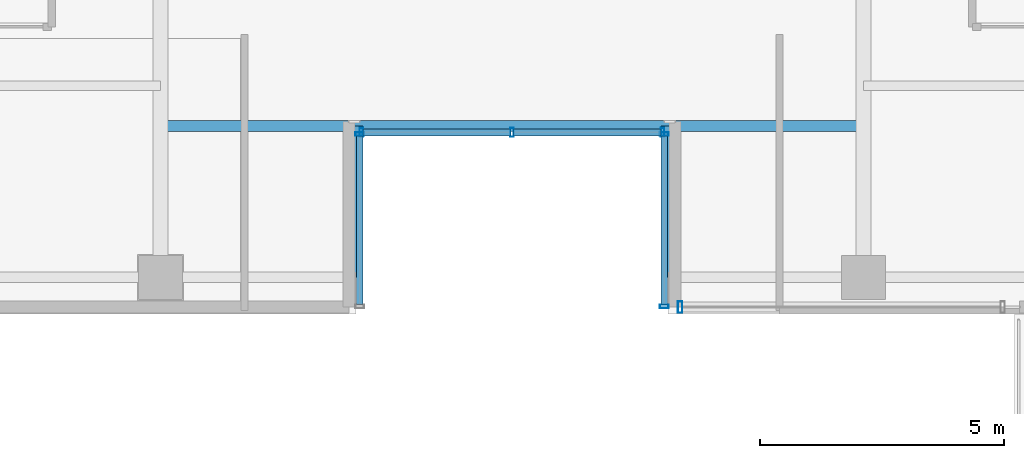
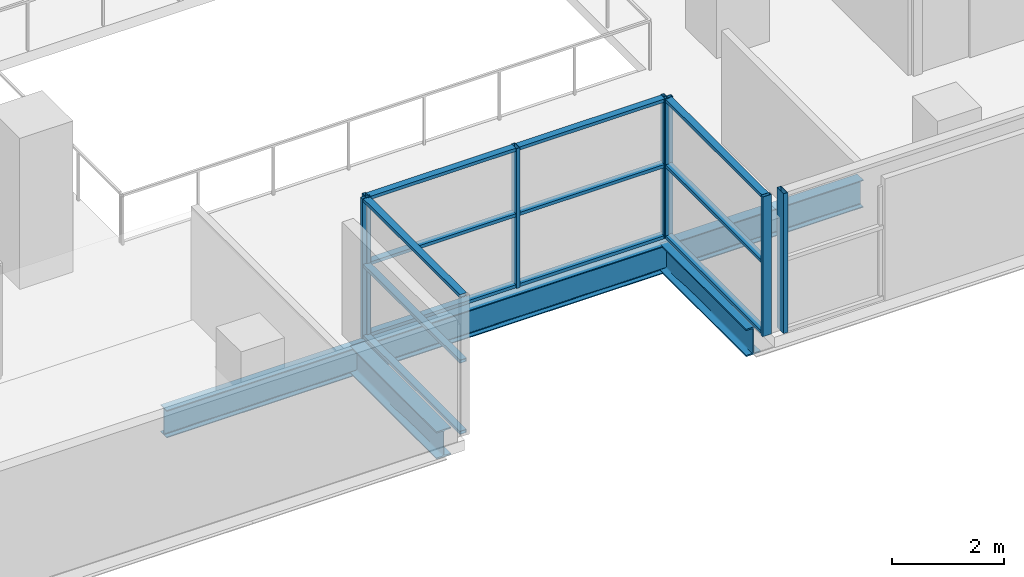
# One storey, part 6 of 28: 19 members, 3 beams, 4 elements without a shape of their own.
"""IFC4 building model written with IfcOpenShell, lengths in metres."""

from ifc_helpers import new_model, si_unit, direction, frame, origin, origin_2d, place, context, subcontext, project, spatial, hollow_rectangle, i_section, extrude, source, transform, mapped, material, layer, layer_set, material_profile, profile_set, type_object, element, aggregate, save


model = new_model("IFC4")

# Units and contexts
model_context = context("Model", 3, precision=1e-05, world=origin(), true_north=direction((0.0, 1.0)))
body_context = subcontext(model_context, "Body", "Model", "MODEL_VIEW")
ifc_project = project(units=[si_unit("LENGTHUNIT", "METRE"), si_unit("AREAUNIT", "SQUARE_METRE"), si_unit("VOLUMEUNIT", "CUBIC_METRE"), si_unit("PLANEANGLEUNIT", "RADIAN"), si_unit("MASSUNIT", "GRAM", prefix="KILO")], contexts=[model_context])

# Site, building, storey
site_placement = place(None, origin())
site = spatial("IfcSite", under=ifc_project, at=site_placement, CompositionType="ELEMENT")
building_placement = place(site_placement, origin())
building = spatial("IfcBuilding", under=site, at=building_placement, Name="Zarnakvel Exchange Tower", CompositionType="ELEMENT")
storey_placement = place(building_placement, frame((0.0, 0.0, 57.10009765625)))
storey = spatial("IfcBuildingStorey", under=building, at=storey_placement, Name="L15", CompositionType="ELEMENT", Elevation=57.10009765625)

# Beams
ifc_material_1 = material(Name="Steel S355", Category="steel")
ifc_material_profile_1 = material_profile(ifc_material_1, i_section(OverallWidth=0.300048828125, OverallDepth=0.60009765625, WebThickness=0.015380859375, FlangeThickness=0.030029296875, FilletRadius=0.027099609375, at=origin_2d()))
ifc_profile_set_1 = profile_set([ifc_material_profile_1], Name="Steel S355")
beam_type_1 = type_object("IfcBeamType", Name="G-04", PredefinedType="BEAM", material=ifc_profile_set_1)
for number, where, z_axis, x_axis, name in (
    (1, (-3.199951171875, -17.449951171875, -0.525146484375), (0.0, 1.0, 0.0), (-1.0, 0.0, 0.0), "L15 South Slot West Cheek Beam"),
    (2, (3.199951171875, -17.449951171875, -0.525146484375), (0.0, 1.0, 0.0), (-1.0, 0.0, 0.0), "L15 South Slot East Cheek Beam"),
):
    element("IfcBeam", number, at=place(storey_placement, frame(where, z_axis=z_axis, x_axis=x_axis)), inside=storey, type_object=beam_type_1, Name=name, PredefinedType="BEAM", context=body_context, shape_type="SweptSolid", body=[
        extrude(i_section(OverallWidth=0.300048828125, OverallDepth=0.60009765625, WebThickness=0.015380859375, FlangeThickness=0.030029296875, FilletRadius=0.027099609375, at=origin_2d()), origin(), (0.0, 0.0, 1.0), 3.099853515625),
    ])
ifc_material_profile_2 = material_profile(ifc_material_1, i_section(OverallWidth=0.219970703125, OverallDepth=0.60009765625, WebThickness=0.011962890625, FlangeThickness=0.01904296875, FilletRadius=0.02392578125, at=origin_2d()))
ifc_profile_set_2 = profile_set([ifc_material_profile_2], Name="Steel S355")
beam_type_2 = type_object("IfcBeamType", Name="SP-01", PredefinedType="SPANDREL", material=ifc_profile_set_2)
beam_placement = place(storey_placement, frame((-7.199951171875, -14.35009765625, -0.525146484375), z_axis=(1.0, 0.0, 0.0), x_axis=(0.0, 1.0, 0.0)))
element("IfcBeam", 3, at=beam_placement, inside=storey, type_object=beam_type_2, Name="L15 South Slot Head Trimmer Girder", PredefinedType="SPANDREL", context=body_context, shape_type="SweptSolid", body=[
    extrude(i_section(OverallWidth=0.219970703125, OverallDepth=0.60009765625, WebThickness=0.011962890625, FlangeThickness=0.01904296875, FilletRadius=0.02392578125, at=origin_2d()), origin(), (0.0, 0.0, 1.0), 14.39990234375),
])

# Curtain wall, members
ifc_material_2 = material(Name="Architectural Bronze Anodised Aluminium", Category="aluminium")
ifc_layer_1 = layer(ifc_material_2, 0.179931640625)
ifc_layer_set_1 = layer_set([ifc_layer_1], Name="Architectural Bronze Anodised Aluminium")
curtain_wall_type_1 = type_object("IfcCurtainWallType", Name="CW-05", PredefinedType="NOTDEFINED", material=ifc_layer_set_1)
curtain_wall_1_placement = place(storey_placement, origin())
curtain_wall_1 = element("IfcCurtainWall", 4, at=curtain_wall_1_placement, inside=storey, type_object=curtain_wall_type_1, Name="L15 Curtain Wall CW-L15-SLW (CW-05)", PredefinedType="NOTDEFINED")
ifc_material_profile_3 = material_profile(ifc_material_2, hollow_rectangle(XDim=0.139892578125, YDim=0.070068359375, WallThickness=0.00390625, at=origin_2d()))
ifc_profile_set_3 = profile_set([ifc_material_profile_3], Name="Architectural Bronze Anodised Aluminium")
member_type_1 = type_object("IfcMemberType", Name="CWT-05", PredefinedType="USERDEFINED", material=ifc_profile_set_3)
shared_shape_1 = source(origin(), body_context, "Body", "SweptSolid", [
    extrude(hollow_rectangle(XDim=0.139892578125, YDim=0.070068359375, WallThickness=0.00390625, at=origin_2d()), origin(), (0.0, 0.0, 1.0), 3.4599609375),
])
member_1_placement = place(storey_placement, frame((-3.1201171875, -18.010009765625, 0.034912109375), z_axis=(0.0, 1.0, 0.0), x_axis=(-1.0, 0.0, 0.0)))
member_1 = element("IfcMember", 5, at=member_1_placement, type_object=member_type_1, Name="CW-05 transom 1.1", ObjectType="TRANSOM", PredefinedType="USERDEFINED", context=body_context, shape_type="MappedRepresentation", body=[
    mapped(shared_shape_1, transform((0.0, 0.0, 0.0), x_axis=(1.0, 0.0, 0.0), y_axis=(0.0, 1.0, 0.0), z_axis=(0.0, 0.0, 1.0), scale=1.0)),
])
member_2_placement = place(storey_placement, frame((-3.1201171875, -18.010009765625, 1.588623046875), z_axis=(0.0, 1.0, 0.0), x_axis=(-1.0, 0.0, 0.0)))
member_2 = element("IfcMember", 6, at=member_2_placement, type_object=member_type_1, Name="CW-05 transom 1.2", ObjectType="TRANSOM", PredefinedType="USERDEFINED", context=body_context, shape_type="MappedRepresentation", body=[
    mapped(shared_shape_1, transform((0.0, 0.0, 0.0), x_axis=(1.0, 0.0, 0.0), y_axis=(0.0, 1.0, 0.0), z_axis=(0.0, 0.0, 1.0), scale=1.0)),
])
member_3_placement = place(storey_placement, frame((-3.1201171875, -18.010009765625, 3.02001953125), z_axis=(0.0, 1.0, 0.0), x_axis=(-1.0, 0.0, 0.0)))
member_3 = element("IfcMember", 7, at=member_3_placement, type_object=member_type_1, Name="CW-05 transom 1.3", ObjectType="TRANSOM", PredefinedType="USERDEFINED", context=body_context, shape_type="MappedRepresentation", body=[
    mapped(shared_shape_1, transform((0.0, 0.0, 0.0), x_axis=(1.0, 0.0, 0.0), y_axis=(0.0, 1.0, 0.0), z_axis=(0.0, 0.0, 1.0), scale=1.0)),
])

curtain_wall_2_placement = place(storey_placement, origin())
curtain_wall_2 = element("IfcCurtainWall", 8, at=curtain_wall_2_placement, inside=storey, type_object=curtain_wall_type_1, Name="L15 Curtain Wall CW-L15-SLE (CW-05)", PredefinedType="NOTDEFINED")
member_4_placement = place(storey_placement, frame((3.1201171875, -14.550048828125, 0.034912109375), z_axis=(0.0, -1.0, 0.0), x_axis=(1.0, 0.0, 0.0)))
member_4 = element("IfcMember", 9, at=member_4_placement, type_object=member_type_1, Name="CW-05 transom 1.1", ObjectType="TRANSOM", PredefinedType="USERDEFINED", context=body_context, shape_type="MappedRepresentation", body=[
    mapped(shared_shape_1, transform((0.0, 0.0, 0.0), x_axis=(1.0, 0.0, 0.0), y_axis=(0.0, 1.0, 0.0), z_axis=(0.0, 0.0, 1.0), scale=1.0)),
])
member_5_placement = place(storey_placement, frame((3.1201171875, -14.550048828125, 1.588623046875), z_axis=(0.0, -1.0, 0.0), x_axis=(1.0, 0.0, 0.0)))
member_5 = element("IfcMember", 10, at=member_5_placement, type_object=member_type_1, Name="CW-05 transom 1.2", ObjectType="TRANSOM", PredefinedType="USERDEFINED", context=body_context, shape_type="MappedRepresentation", body=[
    mapped(shared_shape_1, transform((0.0, 0.0, 0.0), x_axis=(1.0, 0.0, 0.0), y_axis=(0.0, 1.0, 0.0), z_axis=(0.0, 0.0, 1.0), scale=1.0)),
])
member_6_placement = place(storey_placement, frame((3.1201171875, -14.550048828125, 3.02001953125), z_axis=(0.0, -1.0, 0.0), x_axis=(1.0, 0.0, 0.0)))
member_6 = element("IfcMember", 11, at=member_6_placement, type_object=member_type_1, Name="CW-05 transom 1.3", ObjectType="TRANSOM", PredefinedType="USERDEFINED", context=body_context, shape_type="MappedRepresentation", body=[
    mapped(shared_shape_1, transform((0.0, 0.0, 0.0), x_axis=(1.0, 0.0, 0.0), y_axis=(0.0, 1.0, 0.0), z_axis=(0.0, 0.0, 1.0), scale=1.0)),
])

curtain_wall_3_placement = place(storey_placement, origin())
curtain_wall_3 = element("IfcCurtainWall", 12, at=curtain_wall_3_placement, inside=storey, type_object=curtain_wall_type_1, Name="L15 Curtain Wall CW-L15-SLB (CW-05)", PredefinedType="NOTDEFINED")
shared_shape_2 = source(origin(), body_context, "Body", "SweptSolid", [
    extrude(hollow_rectangle(XDim=0.139892578125, YDim=0.070068359375, WallThickness=0.00390625, at=origin_2d()), origin(), (0.0, 0.0, 1.0), 3.01513671875),
])
member_7_placement = place(storey_placement, frame((-3.050048828125, -14.47998046875, 0.034912109375), z_axis=(1.0, 0.0, 0.0), x_axis=(0.0, 1.0, 0.0)))
member_7 = element("IfcMember", 13, at=member_7_placement, type_object=member_type_1, Name="CW-05 transom 1.1", ObjectType="TRANSOM", PredefinedType="USERDEFINED", context=body_context, shape_type="MappedRepresentation", body=[
    mapped(shared_shape_2, transform((0.0, 0.0, 0.0), x_axis=(1.0, 0.0, 0.0), y_axis=(0.0, 1.0, 0.0), z_axis=(0.0, 0.0, 1.0), scale=1.0)),
])
member_8_placement = place(storey_placement, frame((-3.050048828125, -14.47998046875, 1.588623046875), z_axis=(1.0, 0.0, 0.0), x_axis=(0.0, 1.0, 0.0)))
member_8 = element("IfcMember", 14, at=member_8_placement, type_object=member_type_1, Name="CW-05 transom 1.2", ObjectType="TRANSOM", PredefinedType="USERDEFINED", context=body_context, shape_type="MappedRepresentation", body=[
    mapped(shared_shape_2, transform((0.0, 0.0, 0.0), x_axis=(1.0, 0.0, 0.0), y_axis=(0.0, 1.0, 0.0), z_axis=(0.0, 0.0, 1.0), scale=1.0)),
])
member_9_placement = place(storey_placement, frame((-3.050048828125, -14.47998046875, 3.02001953125), z_axis=(1.0, 0.0, 0.0), x_axis=(0.0, 1.0, 0.0)))
member_9 = element("IfcMember", 15, at=member_9_placement, type_object=member_type_1, Name="CW-05 transom 1.3", ObjectType="TRANSOM", PredefinedType="USERDEFINED", context=body_context, shape_type="MappedRepresentation", body=[
    mapped(shared_shape_2, transform((0.0, 0.0, 0.0), x_axis=(1.0, 0.0, 0.0), y_axis=(0.0, 1.0, 0.0), z_axis=(0.0, 0.0, 1.0), scale=1.0)),
])
member_10_placement = place(storey_placement, frame((0.034912109375, -14.47998046875, 0.034912109375), z_axis=(1.0, 0.0, 0.0), x_axis=(0.0, 1.0, 0.0)))
member_10 = element("IfcMember", 16, at=member_10_placement, type_object=member_type_1, Name="CW-05 transom 2.1", ObjectType="TRANSOM", PredefinedType="USERDEFINED", context=body_context, shape_type="MappedRepresentation", body=[
    mapped(shared_shape_2, transform((0.0, 0.0, 0.0), x_axis=(1.0, 0.0, 0.0), y_axis=(0.0, 1.0, 0.0), z_axis=(0.0, 0.0, 1.0), scale=1.0)),
])
member_11_placement = place(storey_placement, frame((0.034912109375, -14.47998046875, 1.588623046875), z_axis=(1.0, 0.0, 0.0), x_axis=(0.0, 1.0, 0.0)))
member_11 = element("IfcMember", 17, at=member_11_placement, type_object=member_type_1, Name="CW-05 transom 2.2", ObjectType="TRANSOM", PredefinedType="USERDEFINED", context=body_context, shape_type="MappedRepresentation", body=[
    mapped(shared_shape_2, transform((0.0, 0.0, 0.0), x_axis=(1.0, 0.0, 0.0), y_axis=(0.0, 1.0, 0.0), z_axis=(0.0, 0.0, 1.0), scale=1.0)),
])
member_12_placement = place(storey_placement, frame((0.034912109375, -14.47998046875, 3.02001953125), z_axis=(1.0, 0.0, 0.0), x_axis=(0.0, 1.0, 0.0)))
member_12 = element("IfcMember", 18, at=member_12_placement, type_object=member_type_1, Name="CW-05 transom 2.3", ObjectType="TRANSOM", PredefinedType="USERDEFINED", context=body_context, shape_type="MappedRepresentation", body=[
    mapped(shared_shape_2, transform((0.0, 0.0, 0.0), x_axis=(1.0, 0.0, 0.0), y_axis=(0.0, 1.0, 0.0), z_axis=(0.0, 0.0, 1.0), scale=1.0)),
])

# Member
ifc_material_profile_4 = material_profile(ifc_material_2, hollow_rectangle(XDim=0.179931640625, YDim=0.070068359375, WallThickness=0.00390625, at=origin_2d()))
ifc_profile_set_4 = profile_set([ifc_material_profile_4], Name="Architectural Bronze Anodised Aluminium")
member_type_2 = type_object("IfcMemberType", Name="CWM-05", PredefinedType="MULLION", material=ifc_profile_set_4)
shared_shape_3 = source(origin(), body_context, "Body", "SweptSolid", [
    extrude(hollow_rectangle(XDim=0.179931640625, YDim=0.070068359375, WallThickness=0.00390625, at=origin_2d()), origin(), (0.0, 0.0, 1.0), 3.054931640625),
])
member_13_placement = place(storey_placement, frame((-3.1201171875, -14.514892578125, 0.0), z_axis=(0.0, 0.0, 1.0), x_axis=(-1.0, 0.0, 0.0)))
member_13 = element("IfcMember", 19, at=member_13_placement, type_object=member_type_2, Name="CW-05 mullion 2", PredefinedType="MULLION", context=body_context, shape_type="MappedRepresentation", body=[
    mapped(shared_shape_3, transform((0.0, 0.0, 0.0), x_axis=(1.0, 0.0, 0.0), y_axis=(0.0, 1.0, 0.0), z_axis=(0.0, 0.0, 1.0), scale=1.0)),
])

aggregate(curtain_wall_1, [member_13, member_1, member_2, member_3])

member_14_placement = place(storey_placement, frame((-3.0849609375, -14.47998046875, 0.0), z_axis=(0.0, 0.0, 1.0), x_axis=(0.0, 1.0, 0.0)))
member_14 = element("IfcMember", 20, at=member_14_placement, type_object=member_type_2, Name="CW-05 mullion 1", PredefinedType="MULLION", context=body_context, shape_type="MappedRepresentation", body=[
    mapped(shared_shape_3, transform((0.0, 0.0, 0.0), x_axis=(1.0, 0.0, 0.0), y_axis=(0.0, 1.0, 0.0), z_axis=(0.0, 0.0, 1.0), scale=1.0)),
])

member_15_placement = place(storey_placement, frame((0.0, -14.47998046875, 0.0), z_axis=(0.0, 0.0, 1.0), x_axis=(0.0, 1.0, 0.0)))
member_15 = element("IfcMember", 21, at=member_15_placement, type_object=member_type_2, Name="CW-05 mullion 2", PredefinedType="MULLION", context=body_context, shape_type="MappedRepresentation", body=[
    mapped(shared_shape_3, transform((0.0, 0.0, 0.0), x_axis=(1.0, 0.0, 0.0), y_axis=(0.0, 1.0, 0.0), z_axis=(0.0, 0.0, 1.0), scale=1.0)),
])

member_16_placement = place(storey_placement, frame((3.0849609375, -14.47998046875, 0.0), z_axis=(0.0, 0.0, 1.0), x_axis=(0.0, 1.0, 0.0)))
member_16 = element("IfcMember", 22, at=member_16_placement, type_object=member_type_2, Name="CW-05 mullion 3", PredefinedType="MULLION", context=body_context, shape_type="MappedRepresentation", body=[
    mapped(shared_shape_3, transform((0.0, 0.0, 0.0), x_axis=(1.0, 0.0, 0.0), y_axis=(0.0, 1.0, 0.0), z_axis=(0.0, 0.0, 1.0), scale=1.0)),
])

aggregate(curtain_wall_3, [member_14, member_15, member_16, member_7, member_8, member_9, member_10, member_11, member_12])

member_17_placement = place(storey_placement, frame((3.1201171875, -14.514892578125, 0.0), z_axis=(0.0, 0.0, 1.0), x_axis=(1.0, 0.0, 0.0)))
member_17 = element("IfcMember", 23, at=member_17_placement, type_object=member_type_2, Name="CW-05 mullion 1", PredefinedType="MULLION", context=body_context, shape_type="MappedRepresentation", body=[
    mapped(shared_shape_3, transform((0.0, 0.0, 0.0), x_axis=(1.0, 0.0, 0.0), y_axis=(0.0, 1.0, 0.0), z_axis=(0.0, 0.0, 1.0), scale=1.0)),
])

member_18_placement = place(storey_placement, frame((3.1201171875, -18.044921875, 0.0), z_axis=(0.0, 0.0, 1.0), x_axis=(1.0, 0.0, 0.0)))
member_18 = element("IfcMember", 24, at=member_18_placement, type_object=member_type_2, Name="CW-05 mullion 2", PredefinedType="MULLION", context=body_context, shape_type="MappedRepresentation", body=[
    mapped(shared_shape_3, transform((0.0, 0.0, 0.0), x_axis=(1.0, 0.0, 0.0), y_axis=(0.0, 1.0, 0.0), z_axis=(0.0, 0.0, 1.0), scale=1.0)),
])

aggregate(curtain_wall_2, [member_17, member_18, member_4, member_5, member_6])

# Curtain wall, member
ifc_layer_2 = layer(ifc_material_2, 0.239990234375)
ifc_layer_set_2 = layer_set([ifc_layer_2], Name="Architectural Bronze Anodised Aluminium")
curtain_wall_type_2 = type_object("IfcCurtainWallType", Name="CW-02", PredefinedType="NOTDEFINED", material=ifc_layer_set_2)
curtain_wall_4_placement = place(storey_placement, origin())
curtain_wall_4 = element("IfcCurtainWall", 25, at=curtain_wall_4_placement, inside=storey, type_object=curtain_wall_type_2, Name="L15 Curtain Wall CW-L15-SE (CW-02)", PredefinedType="NOTDEFINED")
ifc_material_profile_5 = material_profile(ifc_material_2, hollow_rectangle(XDim=0.239990234375, YDim=0.090087890625, WallThickness=0.006103515625, at=origin_2d()))
ifc_profile_set_5 = profile_set([ifc_material_profile_5], Name="Architectural Bronze Anodised Aluminium")
member_type_3 = type_object("IfcMemberType", Name="CWM-02", PredefinedType="MULLION", material=ifc_profile_set_5)
shared_shape_4 = source(origin(), body_context, "Body", "SweptSolid", [
    extrude(hollow_rectangle(XDim=0.239990234375, YDim=0.090087890625, WallThickness=0.006103515625, at=origin_2d()), origin(), (0.0, 0.0, 1.0), 3.054931640625),
])
member_19_placement = place(storey_placement, frame((3.445068359375, -18.06005859375, 0.0), z_axis=(0.0, 0.0, 1.0), x_axis=(0.0, 1.0, 0.0)))
member_19 = element("IfcMember", 26, at=member_19_placement, type_object=member_type_3, Name="CW-02 mullion 1", PredefinedType="MULLION", context=body_context, shape_type="MappedRepresentation", body=[
    mapped(shared_shape_4, transform((0.0, 0.0, 0.0), x_axis=(1.0, 0.0, 0.0), y_axis=(0.0, 1.0, 0.0), z_axis=(0.0, 0.0, 1.0), scale=1.0)),
])
aggregate(curtain_wall_4, [member_19])

save(model, "model.ifc")
